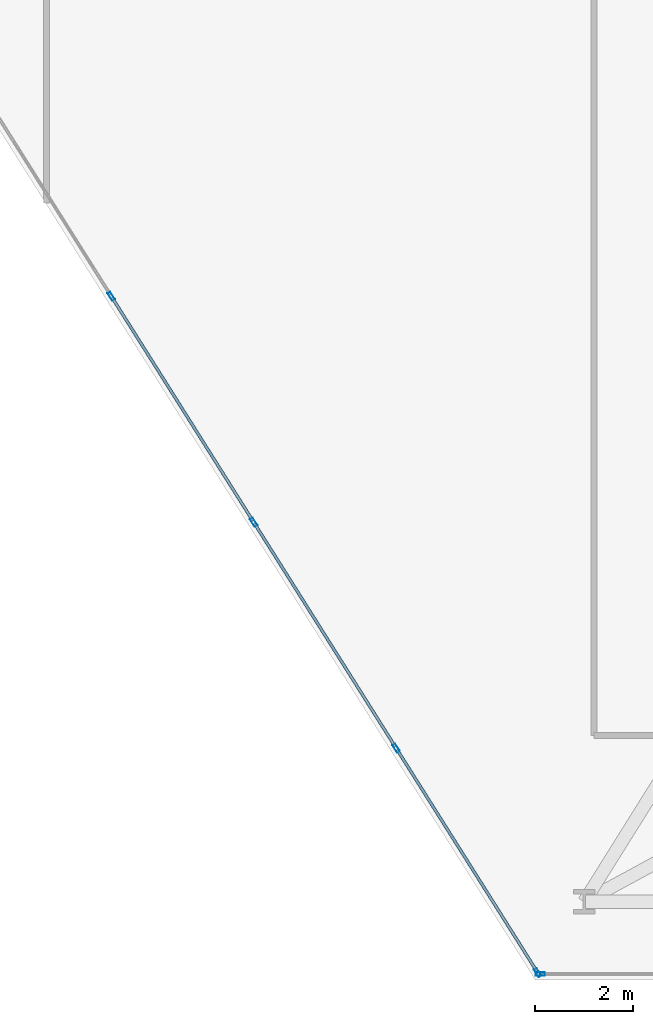
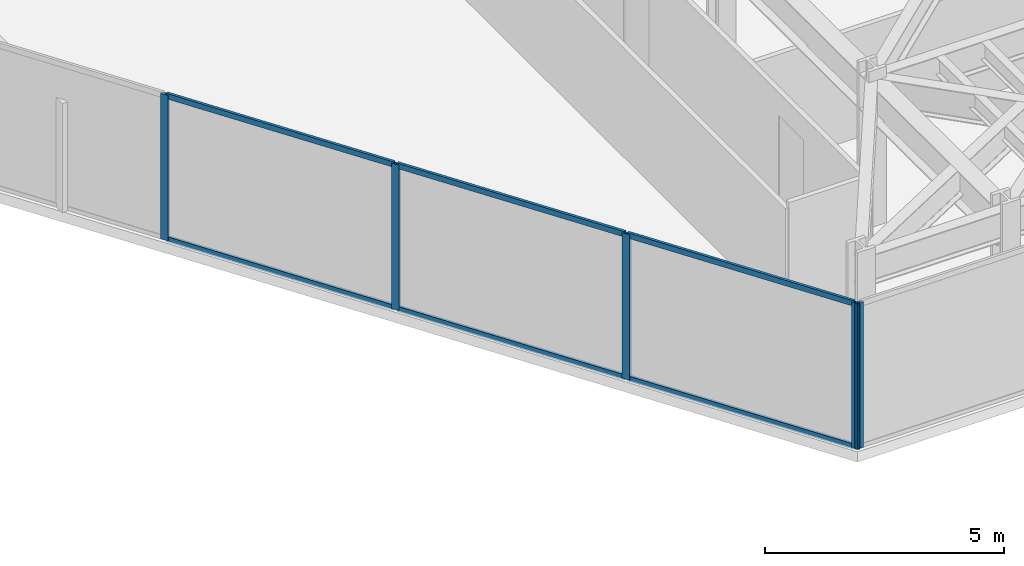
# One storey, part 12 of 25: 11 members, 2 elements without a shape of their own.
"""IFC4 building model written with IfcOpenShell, lengths in metres."""

from ifc_helpers import new_model, si_unit, direction, frame, origin, origin_2d, place, context, subcontext, project, spatial, hollow_rectangle, extrude, material, layer, layer_set, material_profile, profile_set, type_object, element, aggregate, save


model = new_model("IFC4")

# Units and contexts
model_context = context("Model", 3, precision=1e-05, world=origin(), true_north=direction((0.0, 1.0)))
body_context = subcontext(model_context, "Body", "Model", "MODEL_VIEW")
ifc_project = project(units=[si_unit("LENGTHUNIT", "METRE"), si_unit("AREAUNIT", "SQUARE_METRE"), si_unit("VOLUMEUNIT", "CUBIC_METRE"), si_unit("PLANEANGLEUNIT", "RADIAN"), si_unit("MASSUNIT", "GRAM", prefix="KILO")], contexts=[model_context])

# Site, building, storey
site_placement = place(None, origin())
site = spatial("IfcSite", under=ifc_project, at=site_placement, CompositionType="ELEMENT")
building_placement = place(site_placement, origin())
building = spatial("IfcBuilding", under=site, at=building_placement, Name="Kravanh Interchange Tower", CompositionType="ELEMENT")
storey_placement = place(building_placement, frame((0.0, 0.0, 81.5)))
storey = spatial("IfcBuildingStorey", under=building, at=storey_placement, Name="L19", CompositionType="ELEMENT", Elevation=81.5)

# Curtain wall, member
ifc_material_1 = material(Name="Anodised Bronze Aluminium", Category="aluminium")
ifc_layer = layer(ifc_material_1, 0.179931640625)
ifc_layer_set = layer_set([ifc_layer], Name="Unitised Curtain Wall System CW-Z1 Lower Office")
curtain_wall_type = type_object("IfcCurtainWallType", Name="Unitised Curtain Wall System CW-Z1 Lower Office", PredefinedType="NOTDEFINED", material=ifc_layer_set)
curtain_wall_1_placement = place(storey_placement, origin())
curtain_wall_1 = element("IfcCurtainWall", 1, at=curtain_wall_1_placement, inside=storey, type_object=curtain_wall_type, Name="L19 Unitised Curtain Wall CW-L19-03", PredefinedType="NOTDEFINED")
ifc_material_2 = material(Name="Anodised Bronze Aluminium", Category="aluminium")
ifc_material_profile_1 = material_profile(ifc_material_2, hollow_rectangle(XDim=0.070068359375, YDim=0.179931640625, WallThickness=0.00390625, at=origin_2d()), Name="ALU70X180X4")
ifc_profile_set_1 = profile_set([ifc_material_profile_1], Name="Anodised Bronze Aluminium")
member_type_1 = type_object("IfcMemberType", Name="Curtain Wall Mullion ALU70X180X4 Bronze", PredefinedType="MULLION", material=ifc_profile_set_1)
member_1_placement = place(storey_placement, frame((51.601318359375, 1.1201171875, 0.0), z_axis=(0.0, 0.0, 1.0), x_axis=(0.0, -1.0, 0.0)))
member_1 = element("IfcMember", 2, at=member_1_placement, type_object=member_type_1, Name="CW-Z1 mullion 3", PredefinedType="MULLION", context=body_context, shape_type="SweptSolid", body=[
    extrude(hollow_rectangle(XDim=0.070068359375, YDim=0.179931640625, WallThickness=0.00390625, at=origin_2d()), origin(), (0.0, 0.0, 1.0), 3.719970703125),
])
aggregate(curtain_wall_1, [member_1])

# Curtain wall, members
curtain_wall_2_placement = place(storey_placement, origin())
curtain_wall_2 = element("IfcCurtainWall", 3, at=curtain_wall_2_placement, inside=storey, type_object=curtain_wall_type, Name="L19 Unitised Curtain Wall CW-L19-04", PredefinedType="NOTDEFINED")
member_2_placement = place(storey_placement, frame((51.547607421875, 1.149658203125, 0.0), z_axis=(0.0, 0.0, 1.0), x_axis=(-0.845925530786, -0.53330103728, 0.0)))
member_2 = element("IfcMember", 4, at=member_2_placement, type_object=member_type_1, Name="CW-Z1 mullion 1", PredefinedType="MULLION", context=body_context, shape_type="SweptSolid", body=[
    extrude(hollow_rectangle(XDim=0.070068359375, YDim=0.179931640625, WallThickness=0.00390625, at=origin_2d()), origin(), (0.0, 0.0, 1.0), 3.719970703125),
])
member_3_placement = place(storey_placement, frame((48.653076171875, 5.740966796875, 0.0), z_axis=(0.0, 0.0, 1.0), x_axis=(-0.845925530786, -0.53330103728, 0.0)))
member_3 = element("IfcMember", 5, at=member_3_placement, type_object=member_type_1, Name="CW-Z1 mullion 2", PredefinedType="MULLION", context=body_context, shape_type="SweptSolid", body=[
    extrude(hollow_rectangle(XDim=0.070068359375, YDim=0.179931640625, WallThickness=0.00390625, at=origin_2d()), origin(), (0.0, 0.0, 1.0), 3.719970703125),
])
member_4_placement = place(storey_placement, frame((45.73974609375, 10.362060546875, 0.0), z_axis=(0.0, 0.0, 1.0), x_axis=(-0.845925530786, -0.53330103728, 0.0)))
member_4 = element("IfcMember", 6, at=member_4_placement, type_object=member_type_1, Name="CW-Z1 mullion 3", PredefinedType="MULLION", context=body_context, shape_type="SweptSolid", body=[
    extrude(hollow_rectangle(XDim=0.070068359375, YDim=0.179931640625, WallThickness=0.00390625, at=origin_2d()), origin(), (0.0, 0.0, 1.0), 3.719970703125),
])
member_5_placement = place(storey_placement, frame((42.826416015625, 14.98291015625, 0.0), z_axis=(0.0, 0.0, 1.0), x_axis=(-0.845925530786, -0.53330103728, 0.0)))
member_5 = element("IfcMember", 7, at=member_5_placement, type_object=member_type_1, Name="CW-Z1 mullion 4", PredefinedType="MULLION", context=body_context, shape_type="SweptSolid", body=[
    extrude(hollow_rectangle(XDim=0.070068359375, YDim=0.179931640625, WallThickness=0.00390625, at=origin_2d()), origin(), (0.0, 0.0, 1.0), 3.719970703125),
])
ifc_material_3 = material(Name="Anodised Bronze Aluminium", Category="aluminium")
ifc_material_profile_2 = material_profile(ifc_material_3, hollow_rectangle(XDim=0.06005859375, YDim=0.139892578125, WallThickness=0.00390625, at=origin_2d()), Name="ALU60X140X4")
ifc_profile_set_2 = profile_set([ifc_material_profile_2], Name="Anodised Bronze Aluminium")
member_type_2 = type_object("IfcMemberType", Name="Curtain Wall Transom ALU60X140X4 Bronze", PredefinedType="USERDEFINED", material=ifc_profile_set_2)
member_6_placement = place(storey_placement, frame((51.52880859375, 1.17919921875, 0.030029296875), z_axis=(-0.533288163518, 0.845933646719, 0.0), x_axis=(-0.845933646719, -0.533288163518, 0.0)))
member_6 = element("IfcMember", 8, at=member_6_placement, type_object=member_type_2, Name="CW-Z1 transom 1.1", ObjectType="TRANSOM", PredefinedType="USERDEFINED", context=body_context, shape_type="SweptSolid", body=[
    extrude(hollow_rectangle(XDim=0.06005859375, YDim=0.139892578125, WallThickness=0.00390625, at=origin_2d()), origin(), (0.0, 0.0, 1.0), 5.357666015625),
])
member_7_placement = place(storey_placement, frame((51.52880859375, 1.17919921875, 3.68994140625), z_axis=(-0.533288163518, 0.845933646719, 0.0), x_axis=(-0.845933646719, -0.533288163518, 0.0)))
member_7 = element("IfcMember", 9, at=member_7_placement, type_object=member_type_2, Name="CW-Z1 transom 1.2", ObjectType="TRANSOM", PredefinedType="USERDEFINED", context=body_context, shape_type="SweptSolid", body=[
    extrude(hollow_rectangle(XDim=0.06005859375, YDim=0.139892578125, WallThickness=0.00390625, at=origin_2d()), origin(), (0.0, 0.0, 1.0), 5.357666015625),
])
member_8_placement = place(storey_placement, frame((48.63427734375, 5.7705078125, 0.030029296875), z_axis=(-0.533311487456, 0.84591894254, 0.0), x_axis=(-0.84591894254, -0.533311487456, 0.0)))
member_8 = element("IfcMember", 10, at=member_8_placement, type_object=member_type_2, Name="CW-Z1 transom 2.1", ObjectType="TRANSOM", PredefinedType="USERDEFINED", context=body_context, shape_type="SweptSolid", body=[
    extrude(hollow_rectangle(XDim=0.06005859375, YDim=0.139892578125, WallThickness=0.00390625, at=origin_2d()), origin(), (0.0, 0.0, 1.0), 5.392578125),
])
member_9_placement = place(storey_placement, frame((48.63427734375, 5.7705078125, 3.68994140625), z_axis=(-0.533311487456, 0.84591894254, 0.0), x_axis=(-0.84591894254, -0.533311487456, 0.0)))
member_9 = element("IfcMember", 11, at=member_9_placement, type_object=member_type_2, Name="CW-Z1 transom 2.2", ObjectType="TRANSOM", PredefinedType="USERDEFINED", context=body_context, shape_type="SweptSolid", body=[
    extrude(hollow_rectangle(XDim=0.06005859375, YDim=0.139892578125, WallThickness=0.00390625, at=origin_2d()), origin(), (0.0, 0.0, 1.0), 5.392578125),
])
member_10_placement = place(storey_placement, frame((45.720947265625, 10.3916015625, 0.030029296875), z_axis=(-0.533279090152, 0.845939366626, 0.0), x_axis=(-0.845939366626, -0.533279090152, 0.0)))
member_10 = element("IfcMember", 12, at=member_10_placement, type_object=member_type_2, Name="CW-Z1 transom 3.1", ObjectType="TRANSOM", PredefinedType="USERDEFINED", context=body_context, shape_type="SweptSolid", body=[
    extrude(hollow_rectangle(XDim=0.06005859375, YDim=0.139892578125, WallThickness=0.00390625, at=origin_2d()), origin(), (0.0, 0.0, 1.0), 5.392578125),
])
member_11_placement = place(storey_placement, frame((45.720947265625, 10.3916015625, 3.68994140625), z_axis=(-0.533279090152, 0.845939366626, 0.0), x_axis=(-0.845939366626, -0.533279090152, 0.0)))
member_11 = element("IfcMember", 13, at=member_11_placement, type_object=member_type_2, Name="CW-Z1 transom 3.2", ObjectType="TRANSOM", PredefinedType="USERDEFINED", context=body_context, shape_type="SweptSolid", body=[
    extrude(hollow_rectangle(XDim=0.06005859375, YDim=0.139892578125, WallThickness=0.00390625, at=origin_2d()), origin(), (0.0, 0.0, 1.0), 5.392578125),
])
aggregate(curtain_wall_2, [member_2, member_3, member_4, member_5, member_6, member_7, member_8, member_9, member_10, member_11])

save(model, "model.ifc")
